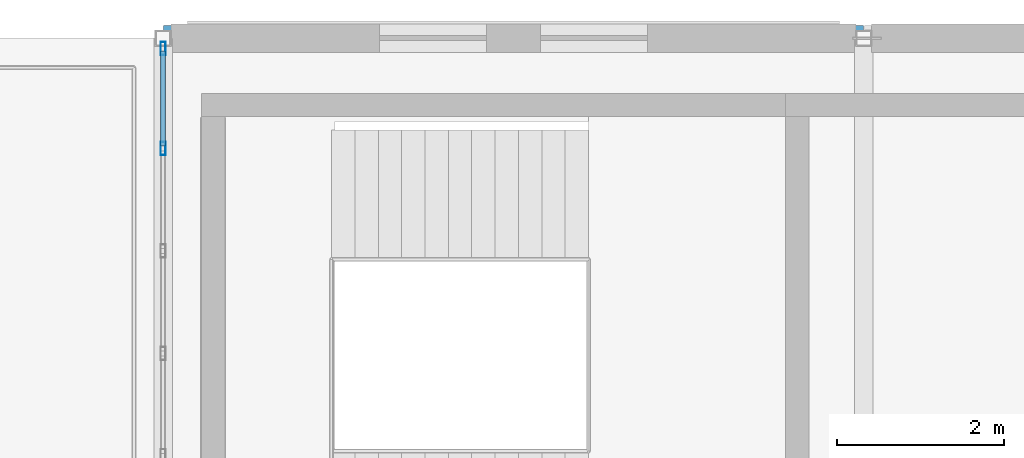
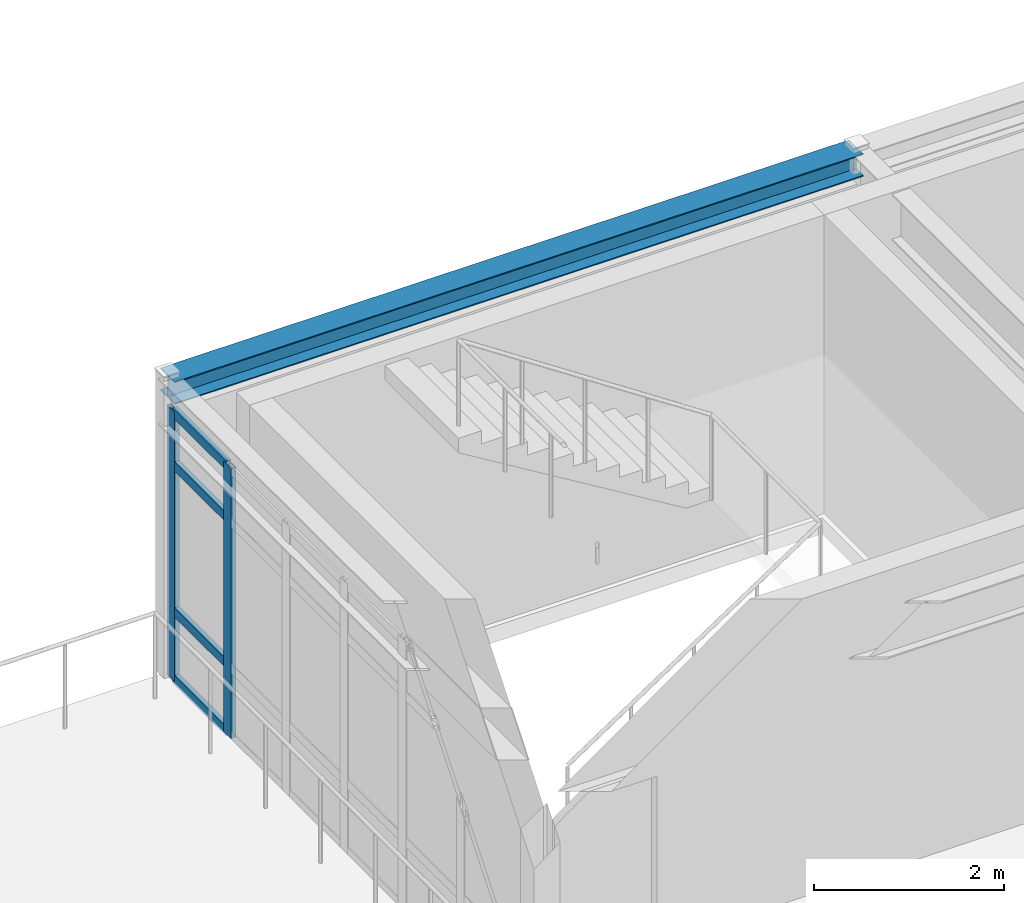
# One storey, part 8 of 26: 6 members, 1 beam, 1 element without a shape of its own.
"""IFC4 building model written with IfcOpenShell, lengths in metres."""

from ifc_helpers import new_model, si_unit, direction, frame, origin, origin_2d, place, context, subcontext, project, spatial, hollow_rectangle, i_section, extrude, material, layer, layer_set, material_profile, profile_set, type_object, element, aggregate, save


model = new_model("IFC4")

# Units and contexts
model_context = context("Model", 3, precision=1e-05, world=origin(), true_north=direction((0.0, 1.0)))
body_context = subcontext(model_context, "Body", "Model", "MODEL_VIEW")
ifc_project = project(units=[si_unit("LENGTHUNIT", "METRE"), si_unit("AREAUNIT", "SQUARE_METRE"), si_unit("VOLUMEUNIT", "CUBIC_METRE"), si_unit("PLANEANGLEUNIT", "RADIAN"), si_unit("MASSUNIT", "GRAM", prefix="KILO")], contexts=[model_context])

# Site, building, storey
site_placement = place(None, origin())
site = spatial("IfcSite", under=ifc_project, at=site_placement, CompositionType="ELEMENT")
building_placement = place(site_placement, origin())
building = spatial("IfcBuilding", under=site, at=building_placement, Name="Montecoro Central Library", CompositionType="ELEMENT")
storey_placement = place(building_placement, frame((0.0, 0.0, 21.419921875)))
storey = spatial("IfcBuildingStorey", under=building, at=storey_placement, Name="L05", CompositionType="ELEMENT", Elevation=21.419921875)

# Beam
ifc_material_1 = material(Name="Steel S355", Category="steel")
ifc_material_profile_1 = material_profile(ifc_material_1, i_section(OverallWidth=0.300048828125, OverallDepth=0.2900390625, WebThickness=0.008544921875, FlangeThickness=0.013916015625, at=origin_2d()), Name="HEA 300")
ifc_profile_set_1 = profile_set([ifc_material_profile_1], Name="Steel S355")
beam_type = type_object("IfcBeamType", Name="BM-SP-HEA300", PredefinedType="SPANDREL", material=ifc_profile_set_1)
beam_placement = place(storey_placement, frame((74.804931640625, 119.0, 3.68017578125), z_axis=(1.0, 0.0, 0.0), x_axis=(0.0, 1.0, 0.0)))
element("IfcBeam", 1, at=beam_placement, inside=storey, type_object=beam_type, Name="V2-L05-BX-1011-R", PredefinedType="SPANDREL", context=body_context, shape_type="SweptSolid", body=[
    extrude(i_section(OverallWidth=0.300048828125, OverallDepth=0.2900390625, WebThickness=0.008544921875, FlangeThickness=0.013916015625, at=origin_2d()), origin(), (0.0, 0.0, 1.0), 8.39013671875),
])

# Curtain wall, members
ifc_material_2 = material(Name="Bronze-anodised aluminium and low-E glazing", Category="aluminium")
ifc_layer = layer(ifc_material_2, 0.159912109375)
ifc_layer_set = layer_set([ifc_layer], Name="Bronze-anodised aluminium and low-E glazing")
curtain_wall_type = type_object("IfcCurtainWallType", Name="CWT-026", PredefinedType="NOTDEFINED", material=ifc_layer_set)
curtain_wall_placement = place(storey_placement, origin())
curtain_wall = element("IfcCurtainWall", 2, at=curtain_wall_placement, inside=storey, type_object=curtain_wall_type, Name="V2-L05-CW-W1", PredefinedType="NOTDEFINED")
ifc_material_3 = material(Name="Bronze-anodised aluminium", Category="aluminium")
ifc_material_profile_2 = material_profile(ifc_material_3, hollow_rectangle(XDim=0.06005859375, YDim=0.159912109375, WallThickness=0.00390625, at=origin_2d()), Name="CWM 160x60x4.0")
ifc_profile_set_2 = profile_set([ifc_material_profile_2], Name="Bronze-anodised aluminium")
member_type_1 = type_object("IfcMemberType", Name="CWM-BRZ-60", PredefinedType="MULLION", material=ifc_profile_set_2)
member_1_placement = place(storey_placement, frame((74.800048828125, 118.876953125, 0.0), z_axis=(0.0, 0.0, 1.0), x_axis=(1.0, 0.0, 0.0)))
member_1 = element("IfcMember", 3, at=member_1_placement, type_object=member_type_1, Name="CW-026 mullion 1", PredefinedType="MULLION", context=body_context, shape_type="SweptSolid", body=[
    extrude(hollow_rectangle(XDim=0.06005859375, YDim=0.159912109375, WallThickness=0.00390625, at=origin_2d()), origin(), (0.0, 0.0, 1.0), 3.47998046875),
])
member_2_placement = place(storey_placement, frame((74.800048828125, 117.678955078125, 0.0), z_axis=(0.0, 0.0, 1.0), x_axis=(1.0, 0.0, 0.0)))
member_2 = element("IfcMember", 4, at=member_2_placement, type_object=member_type_1, Name="CW-026 mullion 2", PredefinedType="MULLION", context=body_context, shape_type="SweptSolid", body=[
    extrude(hollow_rectangle(XDim=0.06005859375, YDim=0.159912109375, WallThickness=0.00390625, at=origin_2d()), origin(), (0.0, 0.0, 1.0), 3.47998046875),
])
ifc_material_profile_3 = material_profile(ifc_material_3, hollow_rectangle(XDim=0.06005859375, YDim=0.1201171875, WallThickness=0.00390625, at=origin_2d()), Name="CWT 120x60x4.0")
ifc_profile_set_3 = profile_set([ifc_material_profile_3], Name="Bronze-anodised aluminium")
member_type_2 = type_object("IfcMemberType", Name="CWT-BRZ-60", PredefinedType="USERDEFINED", material=ifc_profile_set_3)
member_3_placement = place(storey_placement, frame((74.800048828125, 118.846923828125, 0.030029296875), z_axis=(0.0, -1.0, 0.0), x_axis=(1.0, 0.0, 0.0)))
member_3 = element("IfcMember", 5, at=member_3_placement, type_object=member_type_2, Name="CW-026 transom 1.1", ObjectType="TRANSOM", PredefinedType="USERDEFINED", context=body_context, shape_type="SweptSolid", body=[
    extrude(hollow_rectangle(XDim=0.06005859375, YDim=0.1201171875, WallThickness=0.00390625, at=origin_2d()), origin(), (0.0, 0.0, 1.0), 1.13818359375),
])
member_4_placement = place(storey_placement, frame((74.800048828125, 118.846923828125, 0.900146484375), z_axis=(0.0, -1.0, 0.0), x_axis=(1.0, 0.0, 0.0)))
member_4 = element("IfcMember", 6, at=member_4_placement, type_object=member_type_2, Name="CW-026 transom 1.2", ObjectType="TRANSOM", PredefinedType="USERDEFINED", context=body_context, shape_type="SweptSolid", body=[
    extrude(hollow_rectangle(XDim=0.06005859375, YDim=0.1201171875, WallThickness=0.00390625, at=origin_2d()), origin(), (0.0, 0.0, 1.0), 1.13818359375),
])
member_5_placement = place(storey_placement, frame((74.800048828125, 118.846923828125, 2.780029296875), z_axis=(0.0, -1.0, 0.0), x_axis=(1.0, 0.0, 0.0)))
member_5 = element("IfcMember", 7, at=member_5_placement, type_object=member_type_2, Name="CW-026 transom 1.3", ObjectType="TRANSOM", PredefinedType="USERDEFINED", context=body_context, shape_type="SweptSolid", body=[
    extrude(hollow_rectangle(XDim=0.06005859375, YDim=0.1201171875, WallThickness=0.00390625, at=origin_2d()), origin(), (0.0, 0.0, 1.0), 1.13818359375),
])
member_6_placement = place(storey_placement, frame((74.800048828125, 118.846923828125, 3.4501953125), z_axis=(0.0, -1.0, 0.0), x_axis=(1.0, 0.0, 0.0)))
member_6 = element("IfcMember", 8, at=member_6_placement, type_object=member_type_2, Name="CW-026 transom 1.4", ObjectType="TRANSOM", PredefinedType="USERDEFINED", context=body_context, shape_type="SweptSolid", body=[
    extrude(hollow_rectangle(XDim=0.06005859375, YDim=0.1201171875, WallThickness=0.00390625, at=origin_2d()), origin(), (0.0, 0.0, 1.0), 1.13818359375),
])
aggregate(curtain_wall, [member_1, member_2, member_3, member_4, member_5, member_6])

save(model, "model.ifc")
